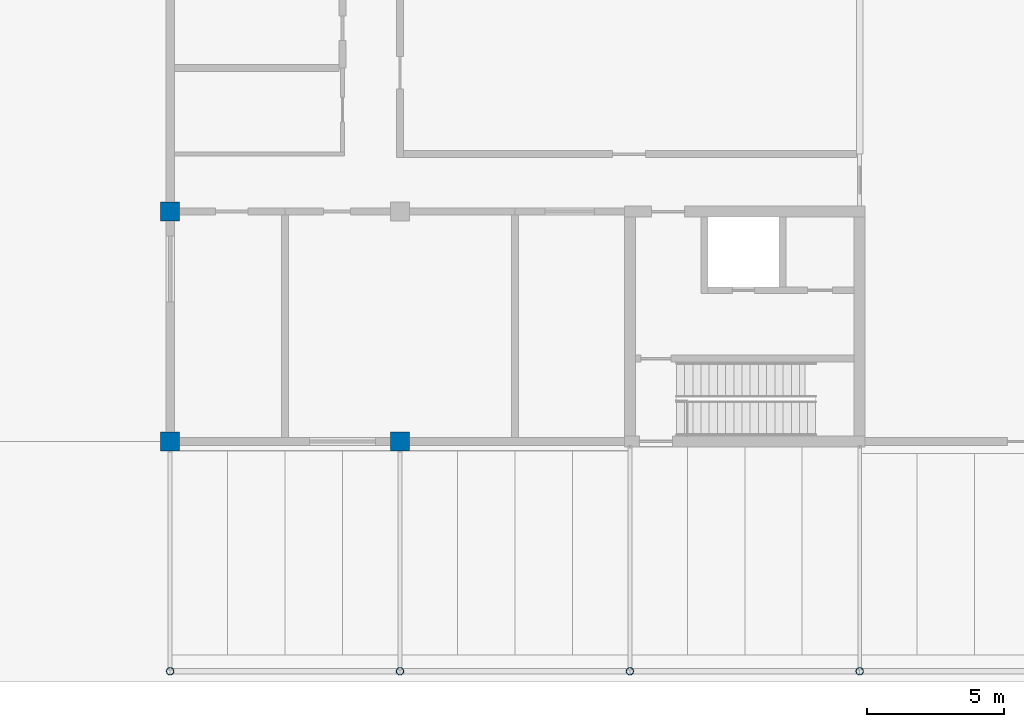
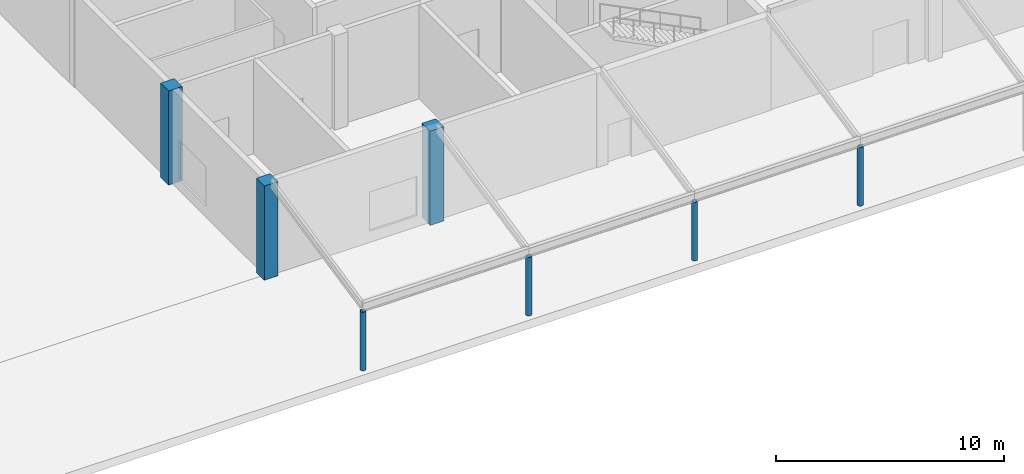
# One storey, part 5 of 76: 7 columns.
"""IFC4 building model written with IfcOpenShell, lengths in metres."""

from ifc_helpers import new_model, si_unit, direction, frame, origin, origin_2d, place, context, subcontext, project, spatial, rectangle, hollow_circle, extrude, material, material_profile, profile_set, type_object, element, save


model = new_model("IFC4")

# Units and contexts
model_context = context("Model", 3, precision=1e-05, world=origin(), true_north=direction((0.0, 1.0)))
body_context = subcontext(model_context, "Body", "Model", "MODEL_VIEW")
ifc_project = project(units=[si_unit("LENGTHUNIT", "METRE"), si_unit("AREAUNIT", "SQUARE_METRE"), si_unit("VOLUMEUNIT", "CUBIC_METRE"), si_unit("PLANEANGLEUNIT", "RADIAN"), si_unit("MASSUNIT", "GRAM", prefix="KILO")], contexts=[model_context])

# Site, building, storey
site_placement = place(None, origin())
site = spatial("IfcSite", under=ifc_project, at=site_placement, CompositionType="ELEMENT")
building_placement = place(site_placement, origin())
building = spatial("IfcBuilding", under=site, at=building_placement, Name="Hlaing Beacon Police Headquarters", CompositionType="ELEMENT")
storey_placement = place(building_placement, origin())
storey = spatial("IfcBuildingStorey", under=building, at=storey_placement, Name="L00", CompositionType="ELEMENT", Elevation=0.0)

# Columns
ifc_material_1 = material(Name="Concrete C50/60", Category="concrete")
ifc_material_profile_1 = material_profile(ifc_material_1, rectangle(XDim=0.699951171875, YDim=0.699951171875, at=origin_2d()), Name="700x700")
ifc_profile_set_1 = profile_set([ifc_material_profile_1], Name="Concrete C50/60")
column_type_1 = type_object("IfcColumnType", Name="RC column 700x700 C50/60", PredefinedType="COLUMN", material=ifc_profile_set_1)
for number, where, z_axis, x_axis, name in (
    (1, (92.39990234375, 8.39990234375, 0.0), (0.0, 0.0, 1.0), (1.0, 0.0, 0.0), "STR-COL-L00-M2"),
    (2, (92.39990234375, 16.800048828125, 0.0), (0.0, 0.0, 1.0), (1.0, 0.0, 0.0), "STR-COL-L00-M3"),
    (3, (100.800048828125, 8.39990234375, 0.0), (0.0, 0.0, 1.0), (1.0, 0.0, 0.0), "STR-COL-L00-N2"),
):
    element("IfcColumn", number, at=place(storey_placement, frame(where, z_axis=z_axis, x_axis=x_axis)), inside=storey, type_object=column_type_1, Name=name, PredefinedType="COLUMN", context=body_context, shape_type="SweptSolid", body=[
        extrude(rectangle(XDim=0.699951171875, YDim=0.699951171875, at=origin_2d()), origin(), (0.0, 0.0, 1.0), 5.050048828125),
    ])
ifc_material_2 = material(Name="Steel ASTM A500 Grade C", Category="steel")
ifc_material_profile_2 = material_profile(ifc_material_2, hollow_circle(Radius=0.136474609375, WallThickness=0.0126953125, at=origin_2d()), Name="HSS10.750x0.500")
ifc_profile_set_2 = profile_set([ifc_material_profile_2], Name="Steel ASTM A500 Grade C")
column_type_2 = type_object("IfcColumnType", Name="Steel column HSS10.750x0.500", PredefinedType="COLUMN", material=ifc_profile_set_2)
for number, where, z_axis, x_axis, name in (
    (4, (92.39990234375, 0.0, 0.0), (0.0, 0.0, 1.0), (1.0, 0.0, 0.0), "STR-CL-CL2-COL01"),
    (5, (100.800048828125, 0.0, 0.0), (0.0, 0.0, 1.0), (1.0, 0.0, 0.0), "STR-CL-CL2-COL02"),
    (6, (109.199951171875, 0.0, 0.0), (0.0, 0.0, 1.0), (1.0, 0.0, 0.0), "STR-CL-CL2-COL03"),
    (7, (117.60009765625, 0.0, 0.0), (0.0, 0.0, 1.0), (1.0, 0.0, 0.0), "STR-CL-CL2-COL04"),
):
    element("IfcColumn", number, at=place(storey_placement, frame(where, z_axis=z_axis, x_axis=x_axis)), inside=storey, type_object=column_type_2, Name=name, PredefinedType="COLUMN", context=body_context, shape_type="SweptSolid", body=[
        extrude(hollow_circle(Radius=0.136474609375, WallThickness=0.0126953125, at=origin_2d()), origin(), (0.0, 0.0, 1.0), 3.142822265625),
    ])

save(model, "model.ifc")
